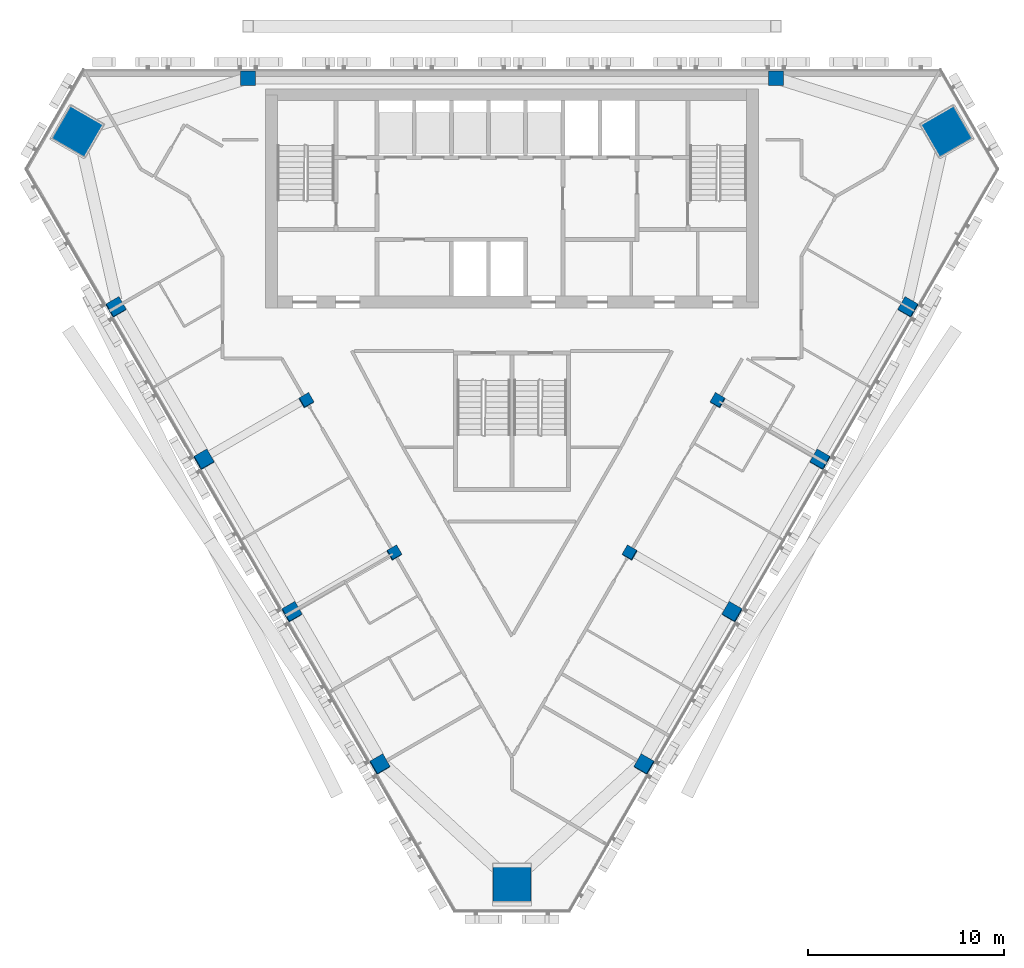
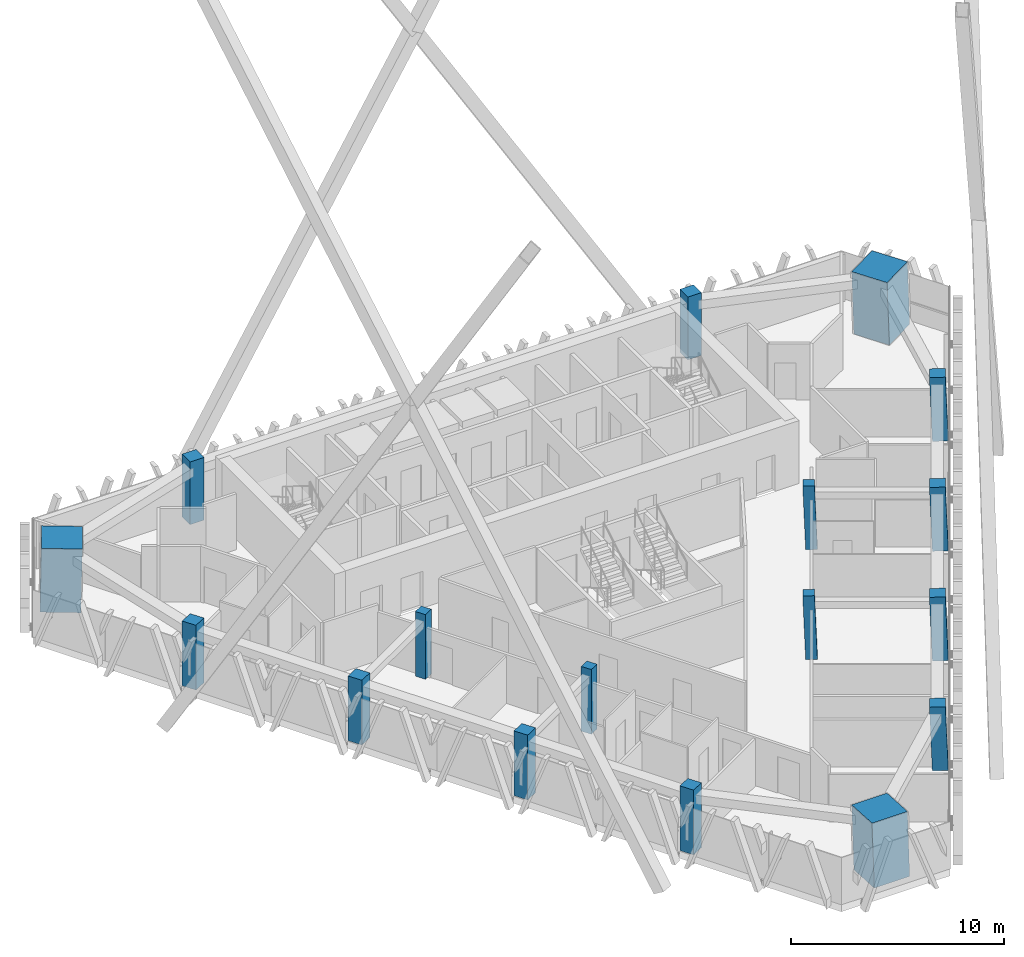
# One storey, part 1 of 22: 17 columns.
"""IFC4 building model written with IfcOpenShell, lengths in metres."""

from ifc_helpers import new_model, si_unit, direction, frame, origin, origin_2d, place, context, subcontext, project, spatial, rectangle, extrude, material, material_profile, profile_set, type_object, element, save


model = new_model("IFC4")

# Units and contexts
model_context = context("Model", 3, precision=1e-05, world=origin(), true_north=direction((0.0, 1.0)))
body_context = subcontext(model_context, "Body", "Model", "MODEL_VIEW")
ifc_project = project(units=[si_unit("LENGTHUNIT", "METRE"), si_unit("AREAUNIT", "SQUARE_METRE"), si_unit("VOLUMEUNIT", "CUBIC_METRE"), si_unit("PLANEANGLEUNIT", "RADIAN"), si_unit("MASSUNIT", "GRAM", prefix="KILO")], contexts=[model_context])

# Site, building, storey
site_placement = place(None, origin())
site = spatial("IfcSite", under=ifc_project, at=site_placement, CompositionType="ELEMENT")
building_placement = place(site_placement, origin())
building = spatial("IfcBuilding", under=site, at=building_placement, Name="Altiplano Prism Tower", CompositionType="ELEMENT")
storey_placement = place(building_placement, frame((0.0, 0.0, 219.39990234375)))
storey = spatial("IfcBuildingStorey", under=building, at=storey_placement, Name="L56", CompositionType="ELEMENT", Elevation=219.39990234375)

# Columns
ifc_material_1 = material(Name="Concrete C60/75", Category="concrete")
ifc_material_profile_1 = material_profile(ifc_material_1, rectangle(XDim=0.550048828125, YDim=0.550048828125, at=origin_2d()), Name="Inner column 550")
ifc_profile_set_1 = profile_set([ifc_material_profile_1], Name="Concrete C60/75")
column_type_1 = type_object("IfcColumnType", Name="Inner column 550", PredefinedType="COLUMN", material=ifc_profile_set_1)
for number, where, z_axis, x_axis, name in (
    (1, (74.46728515625, 88.051025390625, -0.01806640625), (0.022212386598, 0.038397631711, 0.99901563139), (-0.86602441233, -0.498523716892, 0.038416415044), "Inner column I12 L56"),
    (2, (78.96728515625, 80.256591796875, -0.01806640625), (0.022212328788, 0.038465252292, 0.999013031354), (-0.86564132005, -0.499184719353, 0.038467141646), "Inner column I13 L56"),
    (3, (91.03271484375, 80.256591796875, -0.01806640625), (-0.022212328788, 0.038465252292, 0.999013031354), (-0.500171687995, -0.865641404006, 0.022209056658), "Inner column I22 L56"),
    (4, (95.53271484375, 88.051025390625, -0.01806640625), (-0.022212386598, 0.038397631711, 0.99901563139), (-0.49950808515, -0.866025245345, 0.022179884909), "Inner column I23 L56"),
):
    element("IfcColumn", number, at=place(storey_placement, frame(where, z_axis=z_axis, x_axis=x_axis)), inside=storey, type_object=column_type_1, Name=name, PredefinedType="COLUMN", context=body_context, shape_type="SweptSolid", body=[
        extrude(rectangle(XDim=0.550048828125, YDim=0.550048828125, at=origin_2d()), origin(), (0.0, 0.0, 1.0), 3.605224609375),
    ])
ifc_material_2 = material(Name="Concrete C70/85", Category="concrete")
ifc_material_profile_2 = material_profile(ifc_material_2, rectangle(XDim=1.919921875, YDim=1.919921875, at=origin_2d()), Name="Mega column infill 2000")
ifc_profile_set_2 = profile_set([ifc_material_profile_2], Name="Concrete C70/85")
column_type_2 = type_object("IfcColumnType", Name="Mega column infill 2000", PredefinedType="COLUMN", material=ifc_profile_set_2)
column_1_placement = place(storey_placement, frame((62.717529296875, 101.801025390625, 0.0), z_axis=(0.028401796786, 0.009286506348, 0.999553449666), x_axis=(-0.866201950793, 0.49929472605, 0.019973907494)))
element("IfcColumn", 5, at=column_1_placement, inside=storey, type_object=column_type_2, Name="Mega column M0 L56", PredefinedType="COLUMN", context=body_context, shape_type="SweptSolid", body=[
    extrude(rectangle(XDim=1.919921875, YDim=1.919921875, at=origin_2d()), origin(), (0.0, 0.0, 1.0), 3.601806640625),
])
column_2_placement = place(storey_placement, frame((85.0, 63.206787109375, 0.0), z_axis=(0.0, 0.058356907999, 0.998295783467), x_axis=(-1.0, 0.0, 0.0)))
element("IfcColumn", 6, at=column_2_placement, inside=storey, type_object=column_type_2, Name="Mega column M1 L56", PredefinedType="COLUMN", context=body_context, shape_type="SweptSolid", body=[
    extrude(rectangle(XDim=1.919921875, YDim=1.919921875, at=origin_2d()), origin(), (0.0, 0.0, 1.0), 3.606201171875),
])
column_3_placement = place(storey_placement, frame((107.282470703125, 101.801025390625, 0.0), z_axis=(-0.028401796786, 0.009286506348, 0.999553449666), x_axis=(0.49888378352, -0.866383880746, 0.022224799739)))
element("IfcColumn", 7, at=column_3_placement, inside=storey, type_object=column_type_2, Name="Mega column M2 L56", PredefinedType="COLUMN", context=body_context, shape_type="SweptSolid", body=[
    extrude(rectangle(XDim=1.919921875, YDim=1.919921875, at=origin_2d()), origin(), (0.0, 0.0, 1.0), 3.601806640625),
])
ifc_material_profile_3 = material_profile(ifc_material_1, rectangle(XDim=0.75, YDim=0.75, at=origin_2d()), Name="Perimeter column 750")
ifc_profile_set_3 = profile_set([ifc_material_profile_3], Name="Concrete C60/75")
column_type_3 = type_object("IfcColumnType", Name="Perimeter column 750", PredefinedType="COLUMN", material=ifc_profile_set_3)
for number, where, z_axis, x_axis, name in (
    (8, (98.5, 104.550048828125, 0.0), (0.0, 0.0, 1.0), (1.0, 0.0, 0.0), "Perimeter column P01 L56"),
    (9, (71.5, 104.550048828125, 0.0), (0.0, 0.0, 1.0), (1.0, 0.0, 0.0), "Perimeter column P04 L56"),
):
    element("IfcColumn", number, at=place(storey_placement, frame(where, z_axis=z_axis, x_axis=x_axis)), inside=storey, type_object=column_type_3, Name=name, PredefinedType="COLUMN", context=body_context, shape_type="SweptSolid", body=[
        extrude(rectangle(XDim=0.75, YDim=0.75, at=origin_2d()), origin(), (0.0, 0.0, 1.0), 3.60009765625),
    ])
for number, where, z_axis, x_axis, name in (
    (10, (64.7275390625, 92.81982421875, -0.024169921875), (0.022212328788, 0.038465252292, 0.999013031354), (-0.865642454901, -0.499182755274, 0.038467091256), "Perimeter column P11 L56"),
    (11, (69.2275390625, 85.025634765625, -0.024169921875), (0.022212328788, 0.038465252292, 0.999013031354), (-0.865642446172, -0.499182770382, 0.038467091643), "Perimeter column P12 L56"),
    (12, (73.7275390625, 77.2314453125, -0.024169921875), (0.022212328788, 0.038465252292, 0.999013031354), (-0.86564132005, -0.499184719353, 0.038467141646), "Perimeter column P13 L56"),
    (13, (78.2275390625, 69.437255859375, -0.024169921875), (0.022212328788, 0.038465252292, 0.999013031354), (-0.86564131132, -0.499184734462, 0.038467142034), "Perimeter column P14 L56"),
    (14, (91.7724609375, 69.437255859375, -0.024169921875), (-0.022212328788, 0.038465252292, 0.999013031354), (-0.500171703104, -0.865641395294, 0.022209055986), "Perimeter column P21 L56"),
    (15, (96.2724609375, 77.2314453125, -0.024169921875), (-0.022212328788, 0.038465252292, 0.999013031354), (-0.500171687995, -0.865641404006, 0.022209056658), "Perimeter column P22 L56"),
    (16, (100.7724609375, 85.025634765625, -0.024169921875), (-0.022212328788, 0.038465252292, 0.999013031354), (-0.500169739025, -0.865642527906, 0.022209143265), "Perimeter column P23 L56"),
    (17, (105.2724609375, 92.81982421875, -0.024169921875), (-0.022212328788, 0.038465252292, 0.999013031354), (-0.500169723916, -0.865642536618, 0.022209143937), "Perimeter column P24 L56"),
):
    element("IfcColumn", number, at=place(storey_placement, frame(where, z_axis=z_axis, x_axis=x_axis)), inside=storey, type_object=column_type_3, Name=name, PredefinedType="COLUMN", context=body_context, shape_type="SweptSolid", body=[
        extrude(rectangle(XDim=0.75, YDim=0.75, at=origin_2d()), origin(), (0.0, 0.0, 1.0), 3.605224609375),
    ])

save(model, "model.ifc")
